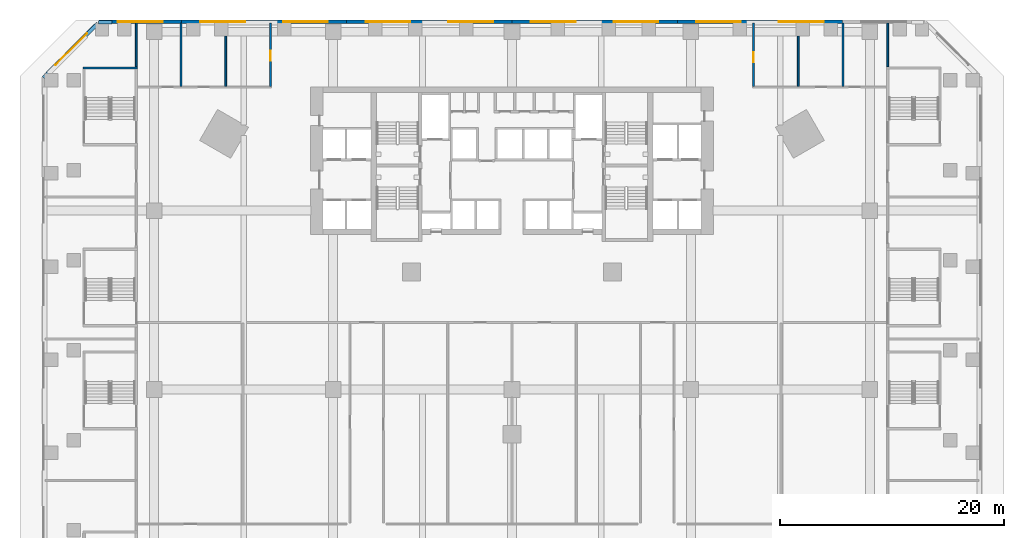
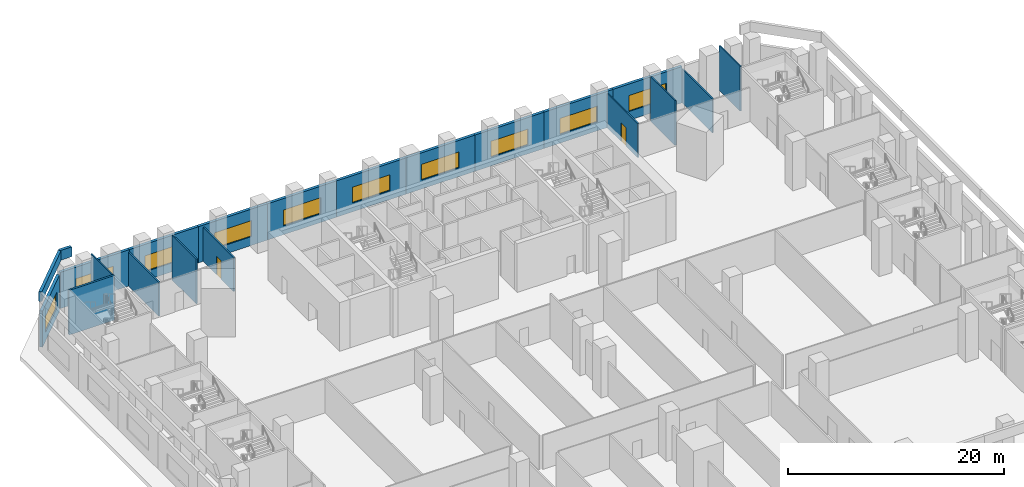
# One storey, part 11 of 22: 21 walls, 10 windows, 2 doors, 12 openings.
"""IFC4 building model written with IfcOpenShell, lengths in metres."""

from ifc_helpers import new_model, si_unit, direction, frame, frame_2d, origin, place, context, subcontext, project, spatial, rectangle, extrude, material, layer, layer_set, type_object, element, fill, save


model = new_model("IFC4")

# Units and contexts
model_context = context("Model", 3, precision=1e-05, world=origin(), true_north=direction((0.0, 1.0)))
body_context = subcontext(model_context, "Body", "Model", "MODEL_VIEW")
ifc_project = project(units=[si_unit("LENGTHUNIT", "METRE"), si_unit("AREAUNIT", "SQUARE_METRE"), si_unit("VOLUMEUNIT", "CUBIC_METRE"), si_unit("PLANEANGLEUNIT", "RADIAN"), si_unit("MASSUNIT", "GRAM", prefix="KILO")], contexts=[model_context])

# Site, building, storey
site_placement = place(None, origin())
site = spatial("IfcSite", under=ifc_project, at=site_placement, CompositionType="ELEMENT")
building_placement = place(site_placement, origin())
building = spatial("IfcBuilding", under=site, at=building_placement, Name="Calabash Gate Tower", CompositionType="ELEMENT")
storey_placement = place(building_placement, frame((0.0, 0.0, 34.5)))
storey = spatial("IfcBuildingStorey", under=building, at=storey_placement, Name="L04", CompositionType="ELEMENT", Elevation=34.5)

# Walls
ifc_material_1 = material(Name="Gypsum board on steel studs, mineral wool", Category="steel")
ifc_layer_1 = layer(ifc_material_1, 0.14990234375)
ifc_layer_set_1 = layer_set([ifc_layer_1], Name="Partition 150 gypsum board")
wall_type_1 = type_object("IfcWallType", Name="Partition 150 gypsum board", PredefinedType="PARTITIONING", material=ifc_layer_set_1)
wall_1_placement = place(storey_placement, frame((-29.60009765625, 19.125, 0.0), z_axis=(0.0, 0.0, 1.0), x_axis=(0.0, 1.0, 0.0)))
element("IfcWall", 1, at=wall_1_placement, inside=storey, type_object=wall_type_1, Name="Partition", PredefinedType="PARTITIONING", context=body_context, shape_type="SweptSolid", body=[
    extrude(rectangle(XDim=5.64501953125, YDim=0.14990234375, at=frame_2d((2.822509765625, 0.0))), origin(), (0.0, 0.0, 1.0), 3.85009765625),
])
wall_2_placement = place(storey_placement, frame((-25.60009765625, 19.125, 0.0), z_axis=(0.0, 0.0, 1.0), x_axis=(0.0, 1.0, 0.0)))
element("IfcWall", 2, at=wall_2_placement, inside=storey, type_object=wall_type_1, Name="Partition", PredefinedType="PARTITIONING", context=body_context, shape_type="SweptSolid", body=[
    extrude(rectangle(XDim=4.47509765625, YDim=0.14990234375, at=frame_2d((2.237548828125, 0.0))), origin(), (0.0, 0.0, 1.0), 5.050048828125),
])

# Wall, opening, door
wall_3_placement = place(storey_placement, frame((-21.60009765625, 19.125, 0.0), z_axis=(0.0, 0.0, 1.0), x_axis=(0.0, 1.0, 0.0)))
wall_3 = element("IfcWall", 3, at=wall_3_placement, inside=storey, type_object=wall_type_1, Name="Partition", PredefinedType="PARTITIONING", context=body_context, shape_type="SweptSolid", body=[
    extrude(rectangle(XDim=5.64501953125, YDim=0.14990234375, at=frame_2d((2.822509765625, 0.0))), origin(), (0.0, 0.0, 1.0), 3.85009765625),
])
opening_1_placement = place(wall_3_placement, frame((2.27490234375, 0.0, 0.0)))
opening_1 = element("IfcOpeningElement", 4, at=opening_1_placement, cuts=wall_3, Name="Opening L04-042", PredefinedType="OPENING", context=body_context, shape_type="SweptSolid", body=[
    extrude(rectangle(XDim=0.89990234375, YDim=2.10009765625, at=frame_2d((0.449951171875, 1.050048828125))), frame((0.0, 0.0849609375, 0.0), z_axis=(0.0, -1.0, 0.0), x_axis=(1.0, 0.0, 0.0)), (0.0, 0.0, 1.0), 0.169921875),
])
ifc_material_2 = material(Name="Steel fire door set with fire-resisting glazing", Category="steel")
door_type = type_object("IfcDoorType", Name="Fire door D13 900x2100 FD30", OperationType="NOTDEFINED", PredefinedType="DOOR", material=ifc_material_2)
door_1_placement = place(opening_1_placement, origin())
door_1 = element("IfcDoor", 5, at=door_1_placement, inside=storey, type_object=door_type, Name="Accessible WC door", OperationType="SINGLE_SWING_RIGHT", OverallHeight=2.10009765625, OverallWidth=0.89990234375, PredefinedType="DOOR", context=body_context, shape_type="SweptSolid", body=[
    extrude(rectangle(XDim=0.89990234375, YDim=2.10009765625, at=frame_2d((0.449951171875, 1.050048828125))), frame((0.0, 0.02490234375, 0.0), z_axis=(0.0, -1.0, 0.0), x_axis=(1.0, 0.0, 0.0)), (0.0, 0.0, 1.0), 0.050048828125),
])
fill(opening_1, door_1)

wall_4_placement = place(storey_placement, frame((21.60009765625, 19.125, 0.0), z_axis=(0.0, 0.0, 1.0), x_axis=(0.0, 1.0, 0.0)))
wall_4 = element("IfcWall", 6, at=wall_4_placement, inside=storey, type_object=wall_type_1, Name="Partition", PredefinedType="PARTITIONING", context=body_context, shape_type="SweptSolid", body=[
    extrude(rectangle(XDim=5.64501953125, YDim=0.14990234375, at=frame_2d((2.822509765625, 0.0))), origin(), (0.0, 0.0, 1.0), 3.85009765625),
])
opening_2_placement = place(wall_4_placement, frame((2.125, 0.0, 0.0)))
opening_2 = element("IfcOpeningElement", 7, at=opening_2_placement, cuts=wall_4, Name="Opening L04-043", PredefinedType="OPENING", context=body_context, shape_type="SweptSolid", body=[
    extrude(rectangle(XDim=0.89990234375, YDim=2.10009765625, at=frame_2d((0.449951171875, 1.050048828125))), frame((0.0, 0.0849609375, 0.0), z_axis=(0.0, -1.0, 0.0), x_axis=(1.0, 0.0, 0.0)), (0.0, 0.0, 1.0), 0.169921875),
])
door_2_placement = place(opening_2_placement, origin())
door_2 = element("IfcDoor", 8, at=door_2_placement, inside=storey, type_object=door_type, Name="Men's WC door", OperationType="SINGLE_SWING_RIGHT", OverallHeight=2.10009765625, OverallWidth=0.89990234375, PredefinedType="DOOR", context=body_context, shape_type="SweptSolid", body=[
    extrude(rectangle(XDim=0.89990234375, YDim=2.10009765625, at=frame_2d((0.449951171875, 1.050048828125))), frame((0.0, 0.02490234375, 0.0), z_axis=(0.0, -1.0, 0.0), x_axis=(1.0, 0.0, 0.0)), (0.0, 0.0, 1.0), 0.050048828125),
])
fill(opening_2, door_2)

# Walls
wall_5_placement = place(storey_placement, frame((25.60009765625, 19.125, 0.0), z_axis=(0.0, 0.0, 1.0), x_axis=(0.0, 1.0, 0.0)))
element("IfcWall", 9, at=wall_5_placement, inside=storey, type_object=wall_type_1, Name="Partition", PredefinedType="PARTITIONING", context=body_context, shape_type="SweptSolid", body=[
    extrude(rectangle(XDim=4.47509765625, YDim=0.14990234375, at=frame_2d((2.237548828125, 0.0))), origin(), (0.0, 0.0, 1.0), 5.050048828125),
])
wall_6_placement = place(storey_placement, frame((29.60009765625, 19.125, 0.0), z_axis=(0.0, 0.0, 1.0), x_axis=(0.0, 1.0, 0.0)))
element("IfcWall", 10, at=wall_6_placement, inside=storey, type_object=wall_type_1, Name="Partition", PredefinedType="PARTITIONING", context=body_context, shape_type="SweptSolid", body=[
    extrude(rectangle(XDim=5.64501953125, YDim=0.14990234375, at=frame_2d((2.822509765625, 0.0))), origin(), (0.0, 0.0, 1.0), 3.85009765625),
])
for number, where, z_axis, x_axis, name in (
    (11, (-33.60009765625, 20.889892578125, 0.0), (0.0, 0.0, 1.0), (0.0, 1.0, 0.0), "Partition"),
    (12, (33.60009765625, 20.889892578125, 0.0), (0.0, 0.0, 1.0), (0.0, 1.0, 0.0), "Partition"),
):
    element("IfcWall", number, at=place(storey_placement, frame(where, z_axis=z_axis, x_axis=x_axis)), inside=storey, type_object=wall_type_1, Name=name, PredefinedType="PARTITIONING", context=body_context, shape_type="SweptSolid", body=[
        extrude(rectangle(XDim=3.880126953125, YDim=0.14990234375, at=frame_2d((1.93994140625, 0.0))), origin(), (0.0, 0.0, 1.0), 5.050048828125),
    ])

# Wall, opening, window
ifc_material_3 = material(Name="Terracotta brick masonry, exposed face", Category="masonry")
ifc_layer_2 = layer(ifc_material_3, 0.300048828125)
ifc_layer_set_2 = layer_set([ifc_layer_2], Name="Podium brick wall 300")
wall_type_2 = type_object("IfcWallType", Name="Podium brick wall 300", PredefinedType="SOLIDWALL", material=ifc_layer_set_2)
wall_7_placement = place(storey_placement, frame((29.56005859375, 24.89990234375, 0.0), z_axis=(0.0, 0.0, 1.0), x_axis=(-1.0, 0.0, 0.0)))
wall_7 = element("IfcWall", 13, at=wall_7_placement, inside=storey, type_object=wall_type_2, Name="Podium brick wall L04 4.0.1", PredefinedType="SOLIDWALL", context=body_context, shape_type="SweptSolid", body=[
    extrude(rectangle(XDim=7.39013671875, YDim=0.300048828125, at=frame_2d((3.695068359375, 0.0))), origin(), (0.0, 0.0, 1.0), 4.10009765625),
])
opening_3_placement = place(wall_7_placement, frame((1.695068359375, 0.0, 1.0)))
opening_3 = element("IfcOpeningElement", 14, at=opening_3_placement, cuts=wall_7, Name="Opening WM1", PredefinedType="OPENING", context=body_context, shape_type="SweptSolid", body=[
    extrude(rectangle(XDim=4.0, YDim=1.800048828125, at=frame_2d((2.0, 0.89990234375))), frame((0.0, 0.159912109375, 0.0), z_axis=(0.0, -1.0, 0.0), x_axis=(1.0, 0.0, 0.0)), (0.0, 0.0, 1.0), 0.320068359375),
])
ifc_material_4 = material(Name="Anodised aluminium frame, bronze finish, impact-rated laminated clear glazing", Category="aluminium")
window_type = type_object("IfcWindowType", Name="Window WM1 4000x1800", PartitioningType="TRIPLE_PANEL_VERTICAL", PredefinedType="WINDOW", material=ifc_material_4)
window_1_placement = place(opening_3_placement, origin())
window_1 = element("IfcWindow", 15, at=window_1_placement, inside=storey, type_object=window_type, Name="Meeting room window L04 4.0.1", OverallHeight=1.800048828125, OverallWidth=4.0, PartitioningType="SINGLE_PANEL", PredefinedType="WINDOW", context=body_context, shape_type="SweptSolid", body=[
    extrude(rectangle(XDim=4.0, YDim=1.800048828125, at=frame_2d((2.0, 0.89990234375))), frame((0.0, 0.030029296875, 0.0), z_axis=(0.0, -1.0, 0.0), x_axis=(1.0, 0.0, 0.0)), (0.0, 0.0, 1.0), 0.06005859375),
])
fill(opening_3, window_1)

wall_8_placement = place(storey_placement, frame((22.169921875, 24.89990234375, 0.0), z_axis=(0.0, 0.0, 1.0), x_axis=(-1.0, 0.0, 0.0)))
wall_8 = element("IfcWall", 16, at=wall_8_placement, inside=storey, type_object=wall_type_2, Name="Podium brick wall L04 4.0.2", PredefinedType="SOLIDWALL", context=body_context, shape_type="SweptSolid", body=[
    extrude(rectangle(XDim=7.389892578125, YDim=0.300048828125, at=frame_2d((3.69482421875, 0.0))), origin(), (0.0, 0.0, 1.0), 4.10009765625),
])
opening_4_placement = place(wall_8_placement, frame((1.695068359375, 0.0, 1.0)))
opening_4 = element("IfcOpeningElement", 17, at=opening_4_placement, cuts=wall_8, Name="Opening WM1", PredefinedType="OPENING", context=body_context, shape_type="SweptSolid", body=[
    extrude(rectangle(XDim=4.0, YDim=1.800048828125, at=frame_2d((2.0, 0.89990234375))), frame((0.0, 0.159912109375, 0.0), z_axis=(0.0, -1.0, 0.0), x_axis=(1.0, 0.0, 0.0)), (0.0, 0.0, 1.0), 0.320068359375),
])
window_2_placement = place(opening_4_placement, origin())
window_2 = element("IfcWindow", 18, at=window_2_placement, inside=storey, type_object=window_type, Name="Meeting room window L04 4.0.2", OverallHeight=1.800048828125, OverallWidth=4.0, PartitioningType="SINGLE_PANEL", PredefinedType="WINDOW", context=body_context, shape_type="SweptSolid", body=[
    extrude(rectangle(XDim=4.0, YDim=1.800048828125, at=frame_2d((2.0, 0.89990234375))), frame((0.0, 0.030029296875, 0.0), z_axis=(0.0, -1.0, 0.0), x_axis=(1.0, 0.0, 0.0)), (0.0, 0.0, 1.0), 0.06005859375),
])
fill(opening_4, window_2)

wall_9_placement = place(storey_placement, frame((14.780029296875, 24.89990234375, 0.0), z_axis=(0.0, 0.0, 1.0), x_axis=(-1.0, 0.0, 0.0)))
wall_9 = element("IfcWall", 19, at=wall_9_placement, inside=storey, type_object=wall_type_2, Name="Podium brick wall L04 4.0.3", PredefinedType="SOLIDWALL", context=body_context, shape_type="SweptSolid", body=[
    extrude(rectangle(XDim=7.39013671875, YDim=0.300048828125, at=frame_2d((3.695068359375, 0.0))), origin(), (0.0, 0.0, 1.0), 4.10009765625),
])
opening_5_placement = place(wall_9_placement, frame((1.695068359375, 0.0, 1.0)))
opening_5 = element("IfcOpeningElement", 20, at=opening_5_placement, cuts=wall_9, Name="Opening WM1", PredefinedType="OPENING", context=body_context, shape_type="SweptSolid", body=[
    extrude(rectangle(XDim=4.0, YDim=1.800048828125, at=frame_2d((2.0, 0.89990234375))), frame((0.0, 0.159912109375, 0.0), z_axis=(0.0, -1.0, 0.0), x_axis=(1.0, 0.0, 0.0)), (0.0, 0.0, 1.0), 0.320068359375),
])
window_3_placement = place(opening_5_placement, origin())
window_3 = element("IfcWindow", 21, at=window_3_placement, inside=storey, type_object=window_type, Name="Meeting room window L04 4.0.3", OverallHeight=1.800048828125, OverallWidth=4.0, PartitioningType="SINGLE_PANEL", PredefinedType="WINDOW", context=body_context, shape_type="SweptSolid", body=[
    extrude(rectangle(XDim=4.0, YDim=1.800048828125, at=frame_2d((2.0, 0.89990234375))), frame((0.0, 0.030029296875, 0.0), z_axis=(0.0, -1.0, 0.0), x_axis=(1.0, 0.0, 0.0)), (0.0, 0.0, 1.0), 0.06005859375),
])
fill(opening_5, window_3)

wall_10_placement = place(storey_placement, frame((7.389892578125, 24.89990234375, 0.0), z_axis=(0.0, 0.0, 1.0), x_axis=(-1.0, 0.0, 0.0)))
wall_10 = element("IfcWall", 22, at=wall_10_placement, inside=storey, type_object=wall_type_2, Name="Podium brick wall L04 4.0.4", PredefinedType="SOLIDWALL", context=body_context, shape_type="SweptSolid", body=[
    extrude(rectangle(XDim=7.389892578125, YDim=0.300048828125, at=frame_2d((3.69482421875, 0.0))), origin(), (0.0, 0.0, 1.0), 4.10009765625),
])
opening_6_placement = place(wall_10_placement, frame((1.695068359375, 0.0, 1.0)))
opening_6 = element("IfcOpeningElement", 23, at=opening_6_placement, cuts=wall_10, Name="Opening WM1", PredefinedType="OPENING", context=body_context, shape_type="SweptSolid", body=[
    extrude(rectangle(XDim=4.0, YDim=1.800048828125, at=frame_2d((2.0, 0.89990234375))), frame((0.0, 0.159912109375, 0.0), z_axis=(0.0, -1.0, 0.0), x_axis=(1.0, 0.0, 0.0)), (0.0, 0.0, 1.0), 0.320068359375),
])
window_4_placement = place(opening_6_placement, origin())
window_4 = element("IfcWindow", 24, at=window_4_placement, inside=storey, type_object=window_type, Name="Meeting room window L04 4.0.4", OverallHeight=1.800048828125, OverallWidth=4.0, PartitioningType="SINGLE_PANEL", PredefinedType="WINDOW", context=body_context, shape_type="SweptSolid", body=[
    extrude(rectangle(XDim=4.0, YDim=1.800048828125, at=frame_2d((2.0, 0.89990234375))), frame((0.0, 0.030029296875, 0.0), z_axis=(0.0, -1.0, 0.0), x_axis=(1.0, 0.0, 0.0)), (0.0, 0.0, 1.0), 0.06005859375),
])
fill(opening_6, window_4)

wall_11_placement = place(storey_placement, frame((0.0, 24.89990234375, 0.0), z_axis=(0.0, 0.0, 1.0), x_axis=(-1.0, 0.0, 0.0)))
wall_11 = element("IfcWall", 25, at=wall_11_placement, inside=storey, type_object=wall_type_2, Name="Podium brick wall L04 4.0.5", PredefinedType="SOLIDWALL", context=body_context, shape_type="SweptSolid", body=[
    extrude(rectangle(XDim=7.389892578125, YDim=0.300048828125, at=frame_2d((3.69482421875, 0.0))), origin(), (0.0, 0.0, 1.0), 4.10009765625),
])
opening_7_placement = place(wall_11_placement, frame((1.695068359375, 0.0, 1.0)))
opening_7 = element("IfcOpeningElement", 26, at=opening_7_placement, cuts=wall_11, Name="Opening WM1", PredefinedType="OPENING", context=body_context, shape_type="SweptSolid", body=[
    extrude(rectangle(XDim=4.0, YDim=1.800048828125, at=frame_2d((2.0, 0.89990234375))), frame((0.0, 0.159912109375, 0.0), z_axis=(0.0, -1.0, 0.0), x_axis=(1.0, 0.0, 0.0)), (0.0, 0.0, 1.0), 0.320068359375),
])
window_5_placement = place(opening_7_placement, origin())
window_5 = element("IfcWindow", 27, at=window_5_placement, inside=storey, type_object=window_type, Name="Meeting room window L04 4.0.5", OverallHeight=1.800048828125, OverallWidth=4.0, PartitioningType="SINGLE_PANEL", PredefinedType="WINDOW", context=body_context, shape_type="SweptSolid", body=[
    extrude(rectangle(XDim=4.0, YDim=1.800048828125, at=frame_2d((2.0, 0.89990234375))), frame((0.0, 0.030029296875, 0.0), z_axis=(0.0, -1.0, 0.0), x_axis=(1.0, 0.0, 0.0)), (0.0, 0.0, 1.0), 0.06005859375),
])
fill(opening_7, window_5)

wall_12_placement = place(storey_placement, frame((-7.389892578125, 24.89990234375, 0.0), z_axis=(0.0, 0.0, 1.0), x_axis=(-1.0, 0.0, 0.0)))
wall_12 = element("IfcWall", 28, at=wall_12_placement, inside=storey, type_object=wall_type_2, Name="Podium brick wall L04 4.0.6", PredefinedType="SOLIDWALL", context=body_context, shape_type="SweptSolid", body=[
    extrude(rectangle(XDim=7.39013671875, YDim=0.300048828125, at=frame_2d((3.695068359375, 0.0))), origin(), (0.0, 0.0, 1.0), 4.10009765625),
])
opening_8_placement = place(wall_12_placement, frame((1.695068359375, 0.0, 1.0)))
opening_8 = element("IfcOpeningElement", 29, at=opening_8_placement, cuts=wall_12, Name="Opening WM1", PredefinedType="OPENING", context=body_context, shape_type="SweptSolid", body=[
    extrude(rectangle(XDim=4.0, YDim=1.800048828125, at=frame_2d((2.0, 0.89990234375))), frame((0.0, 0.159912109375, 0.0), z_axis=(0.0, -1.0, 0.0), x_axis=(1.0, 0.0, 0.0)), (0.0, 0.0, 1.0), 0.320068359375),
])
window_6_placement = place(opening_8_placement, origin())
window_6 = element("IfcWindow", 30, at=window_6_placement, inside=storey, type_object=window_type, Name="Meeting room window L04 4.0.6", OverallHeight=1.800048828125, OverallWidth=4.0, PartitioningType="SINGLE_PANEL", PredefinedType="WINDOW", context=body_context, shape_type="SweptSolid", body=[
    extrude(rectangle(XDim=4.0, YDim=1.800048828125, at=frame_2d((2.0, 0.89990234375))), frame((0.0, 0.030029296875, 0.0), z_axis=(0.0, -1.0, 0.0), x_axis=(1.0, 0.0, 0.0)), (0.0, 0.0, 1.0), 0.06005859375),
])
fill(opening_8, window_6)

wall_13_placement = place(storey_placement, frame((-14.780029296875, 24.89990234375, 0.0), z_axis=(0.0, 0.0, 1.0), x_axis=(-1.0, 0.0, 0.0)))
wall_13 = element("IfcWall", 31, at=wall_13_placement, inside=storey, type_object=wall_type_2, Name="Podium brick wall L04 4.0.7", PredefinedType="SOLIDWALL", context=body_context, shape_type="SweptSolid", body=[
    extrude(rectangle(XDim=7.389892578125, YDim=0.300048828125, at=frame_2d((3.69482421875, 0.0))), origin(), (0.0, 0.0, 1.0), 4.10009765625),
])
opening_9_placement = place(wall_13_placement, frame((1.695068359375, 0.0, 1.0)))
opening_9 = element("IfcOpeningElement", 32, at=opening_9_placement, cuts=wall_13, Name="Opening WM1", PredefinedType="OPENING", context=body_context, shape_type="SweptSolid", body=[
    extrude(rectangle(XDim=4.0, YDim=1.800048828125, at=frame_2d((2.0, 0.89990234375))), frame((0.0, 0.159912109375, 0.0), z_axis=(0.0, -1.0, 0.0), x_axis=(1.0, 0.0, 0.0)), (0.0, 0.0, 1.0), 0.320068359375),
])
window_7_placement = place(opening_9_placement, origin())
window_7 = element("IfcWindow", 33, at=window_7_placement, inside=storey, type_object=window_type, Name="Meeting room window L04 4.0.7", OverallHeight=1.800048828125, OverallWidth=4.0, PartitioningType="SINGLE_PANEL", PredefinedType="WINDOW", context=body_context, shape_type="SweptSolid", body=[
    extrude(rectangle(XDim=4.0, YDim=1.800048828125, at=frame_2d((2.0, 0.89990234375))), frame((0.0, 0.030029296875, 0.0), z_axis=(0.0, -1.0, 0.0), x_axis=(1.0, 0.0, 0.0)), (0.0, 0.0, 1.0), 0.06005859375),
])
fill(opening_9, window_7)

wall_14_placement = place(storey_placement, frame((-22.169921875, 24.89990234375, 0.0), z_axis=(0.0, 0.0, 1.0), x_axis=(-1.0, 0.0, 0.0)))
wall_14 = element("IfcWall", 34, at=wall_14_placement, inside=storey, type_object=wall_type_2, Name="Podium brick wall L04 4.0.8", PredefinedType="SOLIDWALL", context=body_context, shape_type="SweptSolid", body=[
    extrude(rectangle(XDim=7.39013671875, YDim=0.300048828125, at=frame_2d((3.695068359375, 0.0))), origin(), (0.0, 0.0, 1.0), 4.10009765625),
])
opening_10_placement = place(wall_14_placement, frame((1.695068359375, 0.0, 1.0)))
opening_10 = element("IfcOpeningElement", 35, at=opening_10_placement, cuts=wall_14, Name="Opening WM1", PredefinedType="OPENING", context=body_context, shape_type="SweptSolid", body=[
    extrude(rectangle(XDim=4.0, YDim=1.800048828125, at=frame_2d((2.0, 0.89990234375))), frame((0.0, 0.159912109375, 0.0), z_axis=(0.0, -1.0, 0.0), x_axis=(1.0, 0.0, 0.0)), (0.0, 0.0, 1.0), 0.320068359375),
])
window_8_placement = place(opening_10_placement, origin())
window_8 = element("IfcWindow", 36, at=window_8_placement, inside=storey, type_object=window_type, Name="Meeting room window L04 4.0.8", OverallHeight=1.800048828125, OverallWidth=4.0, PartitioningType="SINGLE_PANEL", PredefinedType="WINDOW", context=body_context, shape_type="SweptSolid", body=[
    extrude(rectangle(XDim=4.0, YDim=1.800048828125, at=frame_2d((2.0, 0.89990234375))), frame((0.0, 0.030029296875, 0.0), z_axis=(0.0, -1.0, 0.0), x_axis=(1.0, 0.0, 0.0)), (0.0, 0.0, 1.0), 0.06005859375),
])
fill(opening_10, window_8)

wall_15_placement = place(storey_placement, frame((-29.56005859375, 24.89990234375, 0.0), z_axis=(0.0, 0.0, 1.0), x_axis=(-1.0, 0.0, 0.0)))
wall_15 = element("IfcWall", 37, at=wall_15_placement, inside=storey, type_object=wall_type_2, Name="Podium brick wall L04 4.0.9", PredefinedType="SOLIDWALL", context=body_context, shape_type="SweptSolid", body=[
    extrude(rectangle(XDim=7.389892578125, YDim=0.300048828125, at=frame_2d((3.69482421875, 0.0))), origin(), (0.0, 0.0, 1.0), 4.10009765625),
])
opening_11_placement = place(wall_15_placement, frame((1.695068359375, 0.0, 1.0)))
opening_11 = element("IfcOpeningElement", 38, at=opening_11_placement, cuts=wall_15, Name="Opening WM1", PredefinedType="OPENING", context=body_context, shape_type="SweptSolid", body=[
    extrude(rectangle(XDim=4.0, YDim=1.800048828125, at=frame_2d((2.0, 0.89990234375))), frame((0.0, 0.159912109375, 0.0), z_axis=(0.0, -1.0, 0.0), x_axis=(1.0, 0.0, 0.0)), (0.0, 0.0, 1.0), 0.320068359375),
])
window_9_placement = place(opening_11_placement, origin())
window_9 = element("IfcWindow", 39, at=window_9_placement, inside=storey, type_object=window_type, Name="Meeting room window L04 4.0.9", OverallHeight=1.800048828125, OverallWidth=4.0, PartitioningType="SINGLE_PANEL", PredefinedType="WINDOW", context=body_context, shape_type="SweptSolid", body=[
    extrude(rectangle(XDim=4.0, YDim=1.800048828125, at=frame_2d((2.0, 0.89990234375))), frame((0.0, 0.030029296875, 0.0), z_axis=(0.0, -1.0, 0.0), x_axis=(1.0, 0.0, 0.0)), (0.0, 0.0, 1.0), 0.06005859375),
])
fill(opening_11, window_9)

wall_16_placement = place(storey_placement, frame((-37.27099609375, 24.587646484375, 0.0), z_axis=(0.0, 0.0, 1.0), x_axis=(-0.707106781187, -0.707106781187, 0.0)))
wall_16 = element("IfcWall", 40, at=wall_16_placement, inside=storey, type_object=wall_type_2, Name="Podium brick wall L04 5.0.0", PredefinedType="SOLIDWALL", context=body_context, shape_type="SweptSolid", body=[
    extrude(rectangle(XDim=6.104736328125, YDim=0.300048828125, at=frame_2d((3.05224609375, 0.0))), origin(), (0.0, 0.0, 1.0), 4.10009765625),
])
opening_12_placement = place(wall_16_placement, frame((1.05224609375, 0.0, 1.0)))
opening_12 = element("IfcOpeningElement", 41, at=opening_12_placement, cuts=wall_16, Name="Opening WM1", PredefinedType="OPENING", context=body_context, shape_type="SweptSolid", body=[
    extrude(rectangle(XDim=4.0, YDim=1.800048828125, at=frame_2d((2.0, 0.89990234375))), frame((0.0, 0.159912109375, 0.0), z_axis=(0.0, -1.0, 0.0), x_axis=(1.0, 0.0, 0.0)), (0.0, 0.0, 1.0), 0.320068359375),
])
window_10_placement = place(opening_12_placement, origin())
window_10 = element("IfcWindow", 42, at=window_10_placement, inside=storey, type_object=window_type, Name="Meeting room window L04 5.0.0", OverallHeight=1.800048828125, OverallWidth=4.0, PartitioningType="SINGLE_PANEL", PredefinedType="WINDOW", context=body_context, shape_type="SweptSolid", body=[
    extrude(rectangle(XDim=4.0, YDim=1.800048828125, at=frame_2d((2.0, 0.89990234375))), frame((0.0, 0.030029296875, 0.0), z_axis=(0.0, -1.0, 0.0), x_axis=(1.0, 0.0, 0.0)), (0.0, 0.0, 1.0), 0.06005859375),
])
fill(opening_12, window_10)

# Walls
ifc_material_5 = material(Name="Terracotta brick masonry, exposed face", Category="masonry")
ifc_layer_3 = layer(ifc_material_5, 0.300048828125)
ifc_layer_set_3 = layer_set([ifc_layer_3], Name="Podium parapet wall 300")
wall_type_3 = type_object("IfcWallType", Name="Podium parapet wall 300", PredefinedType="PARAPET", material=ifc_layer_set_3)
wall_17_placement = place(storey_placement, frame((-35.75, 24.85009765625, 5.5), z_axis=(0.0, 0.0, 1.0), x_axis=(-1.0, 0.0, 0.0)))
element("IfcWall", 43, at=wall_17_placement, inside=storey, type_object=wall_type_3, Name="Podium parapet L04 4.1.0", PredefinedType="PARAPET", context=body_context, shape_type="SweptSolid", body=[
    extrude(rectangle(XDim=1.25, YDim=0.300048828125, at=frame_2d((0.625, 0.0))), origin(), (0.0, 0.0, 1.0), 1.10009765625),
])
wall_18_placement = place(storey_placement, frame((-37.04248046875, 24.745361328125, 5.5), z_axis=(0.0, 0.0, 1.0), x_axis=(-0.707124572946, -0.70708898898, 0.0)))
element("IfcWall", 44, at=wall_18_placement, inside=storey, type_object=wall_type_3, Name="Podium parapet L04 5.0.0", PredefinedType="PARAPET", context=body_context, shape_type="SweptSolid", body=[
    extrude(rectangle(XDim=6.861083984375, YDim=0.300048828125, at=frame_2d((3.4306640625, 0.0))), origin(), (0.0, 0.0, 1.0), 1.10009765625),
])
ifc_material_6 = material(Name="Concrete C40/50", Category="concrete")
ifc_layer_4 = layer(ifc_material_6, 0.199951171875)
ifc_layer_set_4 = layer_set([ifc_layer_4], Name="Stair wall 200 Concrete C40/50")
wall_type_4 = type_object("IfcWallType", Name="Stair wall 200 Concrete C40/50", PredefinedType="SOLIDWALL", material=ifc_layer_set_4)
wall_19_placement = place(storey_placement, frame((-38.3701171875, 20.75, 0.0), z_axis=(0.0, 0.0, 1.0), x_axis=(1.0, 0.0, 0.0)))
element("IfcWall", 45, at=wall_19_placement, inside=storey, type_object=wall_type_4, Name="Stair wall", PredefinedType="SOLIDWALL", context=body_context, shape_type="SweptSolid", body=[
    extrude(rectangle(XDim=4.8701171875, YDim=0.199951171875, at=frame_2d((2.43505859375, 0.0))), origin(), (0.0, 0.0, 1.0), 5.050048828125),
])

save(model, "model.ifc")
